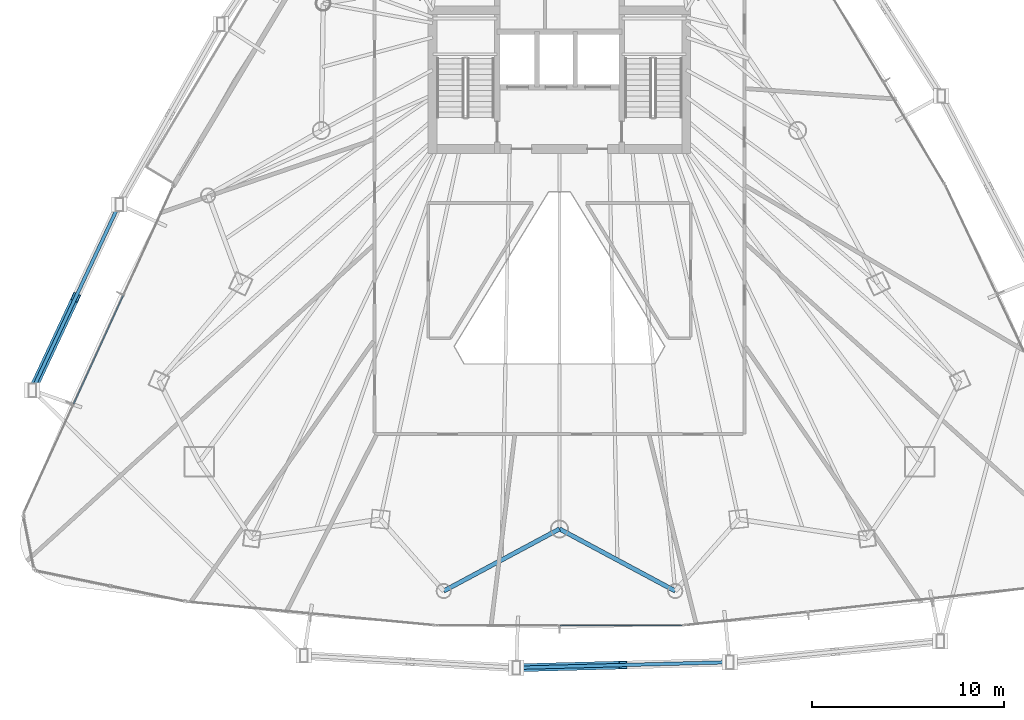
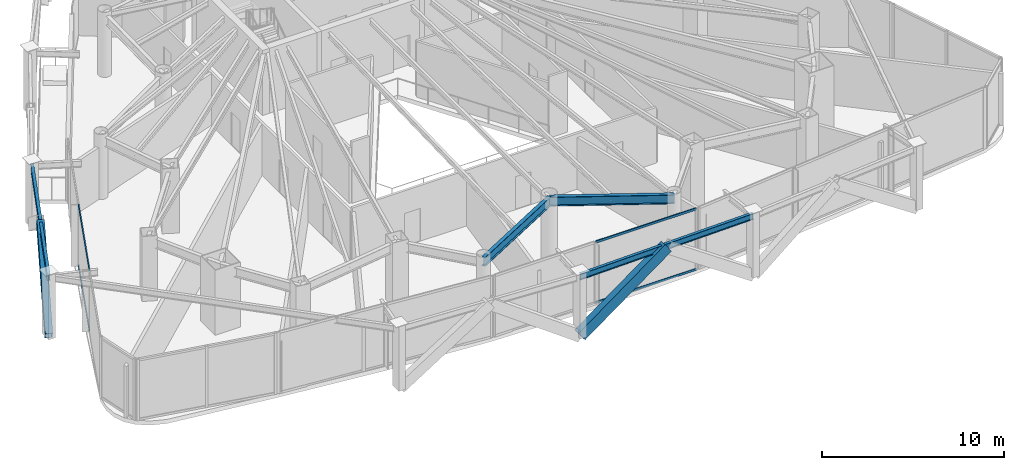
# One storey, part 7 of 33: 6 members, 4 beams, 2 elements without a shape of their own.
"""IFC4 building model written with IfcOpenShell, lengths in metres."""

import ifcopenshell
import ifcopenshell.guid

model = None  # the IFC model being written
_history = None  # IfcOwnerHistory: only IFC2X3 demands one
_inside = {}  # id of a spatial element -> (the spatial element, [elements in it])
_under = {}  # id of a project, library or spatial element -> (it, [spatial elements below it])
_declared = {}  # id of a project -> (the project, [libraries it declares])
_typed = {}  # id of a type object -> (the type object, [elements of that type])
_made_of = {}  # id of a material, layer set ... -> (it, [elements and type objects made of it])


def new_model(schema):
    """Start an empty IFC model of exactly this schema.

    Asked for "IFC4X3", IfcOpenShell would pick the latest addendum, in which some entities
    have other attributes; the version numbers below select the first issue.
    IFC2X3 requires an IfcOwnerHistory on every rooted entity: one is made here for all.
    """
    global model, _history
    if schema == "IFC4X3":
        model = ifcopenshell.file(schema_version=(4, 3, 0, 0))
    else:
        model = ifcopenshell.file(schema=schema)
    _inside.clear()
    _under.clear()
    _declared.clear()
    _typed.clear()
    _made_of.clear()
    _history = None
    if model.schema == "IFC2X3":
        org = make("IfcOrganization", Name="unknown")
        user = make(
            "IfcPersonAndOrganization",
            ThePerson=make("IfcPerson", FamilyName="unknown"),
            TheOrganization=org,
        )
        app = make(
            "IfcApplication",
            ApplicationDeveloper=org,
            Version="unknown",
            ApplicationFullName="unknown",
            ApplicationIdentifier="unknown",
        )
        _history = make(
            "IfcOwnerHistory",
            OwningUser=user,
            OwningApplication=app,
            ChangeAction="ADDED",
            CreationDate=0,
        )
    return model


def make(cls, **values):
    """One entity of the class cls with the attributes given. An attribute that is None is left unset."""
    return model.create_entity(
        cls, **{name: value for name, value in values.items() if value is not None}
    )


def rooted(cls, **values):
    """An entity with a GlobalId (a new one), such as an element, a storey or a relation."""
    return make(cls, GlobalId=ifcopenshell.guid.new(), OwnerHistory=_history, **values)


def si_unit(unit_type, name, prefix=None):
    """IfcSIUnit, for example si_unit("LENGTHUNIT", "METRE", prefix="MILLI")."""
    return make("IfcSIUnit", UnitType=unit_type, Prefix=prefix, Name=name)


def assignment(units):
    """IfcUnitAssignment: the units of a project."""
    return None if units is None else make("IfcUnitAssignment", Units=units)


def point(xyz):
    """IfcCartesianPoint."""
    return None if xyz is None else make("IfcCartesianPoint", Coordinates=xyz)


def direction(xyz):
    """IfcDirection."""
    return None if xyz is None else make("IfcDirection", DirectionRatios=xyz)


def frame(location, z_axis=None, x_axis=None):
    """IfcAxis2Placement3D, a coordinate frame: its origin and axes. An axis left out is left unset."""
    return make(
        "IfcAxis2Placement3D",
        Location=point(location),
        Axis=direction(z_axis),
        RefDirection=direction(x_axis),
    )


def frame_2d(location, x_axis=None):
    """IfcAxis2Placement2D, a coordinate frame in the plane: its origin and x axis."""
    return make(
        "IfcAxis2Placement2D", Location=point(location), RefDirection=direction(x_axis)
    )


def origin():
    """The frame at (0, 0, 0) with its axes left unset."""
    return frame((0.0, 0.0, 0.0))


def origin_2d():
    """The frame at (0, 0) in the plane with its x axis left unset."""
    return frame_2d((0.0, 0.0))


def place(relative_to, where):
    """IfcLocalPlacement: puts the frame where relative to a parent placement (None: the world)."""
    return make(
        "IfcLocalPlacement", PlacementRelTo=relative_to, RelativePlacement=where
    )


def context(
    kind, dimensions, precision=None, world=None, true_north=None, identifier=None
):
    """IfcGeometricRepresentationContext, for example the 3D "Model" context."""
    return make(
        "IfcGeometricRepresentationContext",
        ContextIdentifier=identifier,
        ContextType=kind,
        CoordinateSpaceDimension=dimensions,
        Precision=precision,
        WorldCoordinateSystem=world,
        TrueNorth=true_north,
    )


def subcontext(parent, identifier, kind, view, scale=None):
    """IfcGeometricRepresentationSubContext, for example "Body" below "Model"."""
    return make(
        "IfcGeometricRepresentationSubContext",
        ContextIdentifier=identifier,
        ContextType=kind,
        ParentContext=parent,
        TargetScale=scale,
        TargetView=view,
    )


def project(units=None, contexts=None):
    """IfcProject with its units and contexts."""
    return rooted(
        "IfcProject",
        Name="project",
        RepresentationContexts=contexts,
        UnitsInContext=assignment(units),
    )


def spatial(cls, under=None, at=None, **own):
    """A site, building, storey or space (cls), placed at a placement, below another one or the project."""
    s = rooted(cls, ObjectPlacement=at, **own)
    if under is not None:
        _under.setdefault(under.id(), (under, []))[1].append(s)
    return s


def profile(cls, at=None, kind="AREA", **sizes):
    """A parametric profile (cls). Its sizes go by their IFC names, for example OverallWidth=200.0."""
    return make(cls, ProfileType=kind, Position=at, **sizes)


def hollow_rectangle(**sizes):
    """IfcRectangleHollowProfileDef."""
    return profile("IfcRectangleHollowProfileDef", **sizes)


def i_section(**sizes):
    """IfcIShapeProfileDef."""
    return profile("IfcIShapeProfileDef", **sizes)


def extrude(swept, where, along, depth):
    """IfcExtrudedAreaSolid: the profile swept, set in the frame where, extruded along a direction by depth."""
    return make(
        "IfcExtrudedAreaSolid",
        SweptArea=swept,
        Position=where,
        ExtrudedDirection=direction(along),
        Depth=depth,
    )


def shape(context_of_items, identifier, shape_type, items):
    """IfcShapeRepresentation: the items that make up one representation, for example the "Body"."""
    return make(
        "IfcShapeRepresentation",
        ContextOfItems=context_of_items,
        RepresentationIdentifier=identifier,
        RepresentationType=shape_type,
        Items=items,
    )


def material(Name=None, Category=None):
    """IfcMaterial."""
    return make("IfcMaterial", Name=Name, Category=Category)


def layer(
    of_material, thickness, ventilated=None, Name=None, Category=None, Priority=None
):
    """IfcMaterialLayer: one layer of a wall or slab, of a material (None: an air gap)."""
    return make(
        "IfcMaterialLayer",
        Material=of_material,
        LayerThickness=thickness,
        IsVentilated=ventilated,
        Name=Name,
        Category=Category,
        Priority=Priority,
    )


def layer_set(layers, Name=None):
    """IfcMaterialLayerSet."""
    return make("IfcMaterialLayerSet", MaterialLayers=layers, LayerSetName=Name)


def material_profile(
    of_material, cross_section, Name=None, Category=None, Priority=None
):
    """IfcMaterialProfile: a cross section and its material."""
    return make(
        "IfcMaterialProfile",
        Name=Name,
        Material=of_material,
        Profile=cross_section,
        Priority=Priority,
        Category=Category,
    )


def profile_set(profiles, Name=None, composite=None):
    """IfcMaterialProfileSet."""
    return make(
        "IfcMaterialProfileSet",
        Name=Name,
        MaterialProfiles=profiles,
        CompositeProfile=composite,
    )


def made_of(thing, what):
    """Note that an element or type object is made of a material, layer set ...; save() writes the relation."""
    if what is not None:
        _made_of.setdefault(what.id(), (what, []))[1].append(thing)
    return thing


def type_object(cls, material=None, **own):
    """A type object (cls), such as IfcWallType, which elements share."""
    return made_of(rooted(cls, **own), material)


def element(
    cls,
    number,
    at=None,
    inside=None,
    cuts=None,
    type_object=None,
    material=None,
    context=None,
    identifier="Body",
    shape_type=None,
    held_by="IfcProductDefinitionShape",
    body=None,
    shapes=None,
    **own,
):
    """One element of the class cls, such as IfcWall. Its Tag is "e" and its number.

    at: its placement. inside: the storey or other place that contains it. cuts: it is an
    opening in that element (IfcRelVoidsElement). A single representation is given by context,
    identifier, shape_type and body (its items); several are given by shapes. held_by: the class
    of the entity that holds the representations. save() writes the other relations.
    """
    e = rooted(cls, Tag="e%d" % number, ObjectPlacement=at, **own)
    if body is not None:
        shapes = [shape(context, identifier, shape_type, body)]
    if shapes is not None:
        e.Representation = make(held_by, Representations=shapes)
    if inside is not None:
        _inside.setdefault(inside.id(), (inside, []))[1].append(e)
    if cuts is not None:
        rooted(
            "IfcRelVoidsElement", RelatingBuildingElement=cuts, RelatedOpeningElement=e
        )
    if type_object is not None:
        _typed.setdefault(type_object.id(), (type_object, []))[1].append(e)
    return made_of(e, material)


def aggregate(whole, parts):
    """IfcRelAggregates: a whole, such as a stair, and the parts it consists of."""
    return rooted("IfcRelAggregates", RelatingObject=whole, RelatedObjects=parts)


def save(model, path):
    """Write the relations noted so far, then the file.

    IfcRelAggregates (storeys below a building ...), IfcRelContainedInSpatialStructure (elements
    in a storey), IfcRelDefinesByType, IfcRelAssociatesMaterial and IfcRelDeclares: one each for
    every whole, place, type object, material and project.
    """
    for whole, parts in _under.values():
        aggregate(whole, parts)
    for where, things in _inside.values():
        rooted(
            "IfcRelContainedInSpatialStructure",
            RelatedElements=things,
            RelatingStructure=where,
        )
    for kind, things in _typed.values():
        rooted("IfcRelDefinesByType", RelatedObjects=things, RelatingType=kind)
    for what, things in _made_of.values():
        rooted("IfcRelAssociatesMaterial", RelatedObjects=things, RelatingMaterial=what)
    for by, libraries in _declared.values():
        rooted("IfcRelDeclares", RelatingContext=by, RelatedDefinitions=libraries)
    model.write(path)


model = new_model("IFC4")

# Units and contexts
model_context = context("Model", 3, precision=1e-05, world=origin(), true_north=direction((0.0, 1.0)))
body_context = subcontext(model_context, "Body", "Model", "MODEL_VIEW")
ifc_project = project(units=[si_unit("LENGTHUNIT", "METRE"), si_unit("AREAUNIT", "SQUARE_METRE"), si_unit("VOLUMEUNIT", "CUBIC_METRE"), si_unit("PLANEANGLEUNIT", "RADIAN"), si_unit("MASSUNIT", "GRAM", prefix="KILO")], contexts=[model_context])

# Site, building, storey
site_placement = place(None, origin())
site = spatial("IfcSite", under=ifc_project, at=site_placement, CompositionType="ELEMENT")
building_placement = place(site_placement, origin())
building = spatial("IfcBuilding", under=site, at=building_placement, Name="Orvanel Arch Residences", CompositionType="ELEMENT")
storey_placement = place(building_placement, frame((0.0, 0.0, 59.89990234375)))
storey = spatial("IfcBuildingStorey", under=building, at=storey_placement, Name="L16", CompositionType="ELEMENT", Elevation=59.89990234375)

# Members
ifc_material_1 = material(Name="Structural steel AS/NZS 3678 Grade 350", Category="steel")
ifc_material_profile_1 = material_profile(ifc_material_1, hollow_rectangle(XDim=0.419921875, YDim=0.719970703125, WallThickness=0.02490234375, at=origin_2d()), Name="RHS720x420x25")
ifc_profile_set_1 = profile_set([ifc_material_profile_1], Name="Structural steel AS/NZS 3678 Grade 350")
member_type_1 = type_object("IfcMemberType", Name="BR-720RHS-EXT", PredefinedType="BRACE", material=ifc_profile_set_1)
member_1_placement = place(storey_placement, frame((5.48291015625, 14.091064453125, 0.0), z_axis=(0.34238181439, 0.731385049146, 0.589788608792), x_axis=(-0.905675312904, 0.423971965577, 0.0)))
element("IfcMember", 1, at=member_1_placement, inside=storey, type_object=member_type_1, Name="L16 Exterior Sky-Garden V-Frame Chevron F1B3.2", PredefinedType="BRACE", context=body_context, shape_type="SweptSolid", body=[
    extrude(hollow_rectangle(XDim=0.419921875, YDim=0.719970703125, WallThickness=0.02490234375, at=origin_2d()), origin(), (0.0, 0.0, 1.0), 6.624267578125),
])
member_2_placement = place(storey_placement, frame((30.7490234375, -0.402099609375, 0.0), z_axis=(0.818343727668, 0.02131813763, 0.574333596784), x_axis=(-0.026041511807, 0.999660862324, 0.0)))
element("IfcMember", 2, at=member_2_placement, inside=storey, type_object=member_type_1, Name="L16 Exterior Sky-Garden V-Frame Chevron F2B2.1", PredefinedType="BRACE", context=body_context, shape_type="SweptSolid", body=[
    extrude(hollow_rectangle(XDim=0.419921875, YDim=0.719970703125, WallThickness=0.02490234375, at=origin_2d()), origin(), (0.0, 0.0, 1.0), 6.802734375),
])

# Beams
ifc_material_2 = material(Name="Structural steel AS/NZS 3679.1 Grade 300 (300 MPa)", Category="steel")
ifc_material_profile_2 = material_profile(ifc_material_2, i_section(OverallWidth=0.177978515625, OverallDepth=0.406005859375, WebThickness=0.0078125, FlangeThickness=0.0126953125, at=origin_2d()), Name="410UB59.7")
ifc_profile_set_2 = profile_set([ifc_material_profile_2], Name="Structural steel AS/NZS 3679.1 Grade 300 (300 MPa)")
beam_type_1 = type_object("IfcBeamType", Name="OB-410UB-EXT", PredefinedType="SPANDREL", material=ifc_profile_set_2)
beam_1_placement = place(storey_placement, frame((10.01806640625, 23.781005859375, 3.906982421875), z_axis=(-0.423897093188, -0.905710358993, 0.0), x_axis=(0.905710358993, -0.423897093188, 0.0)))
element("IfcBeam", 3, at=beam_1_placement, inside=storey, type_object=beam_type_1, Name="L16 Outer Perimeter Floor Ring Beam 03", PredefinedType="SPANDREL", context=body_context, shape_type="SweptSolid", body=[
    extrude(i_section(OverallWidth=0.177978515625, OverallDepth=0.406005859375, WebThickness=0.0078125, FlangeThickness=0.0126953125, at=origin_2d()), origin(), (0.0, 0.0, 1.0), 10.69873046875),
])
beam_2_placement = place(storey_placement, frame((30.7490234375, -0.402099609375, 3.906982421875), z_axis=(0.999658650712, 0.026126271386, 0.0), x_axis=(-0.026126271386, 0.999658650712, 0.0)))
element("IfcBeam", 4, at=beam_2_placement, inside=storey, type_object=beam_type_1, Name="L16 Outer Perimeter Floor Ring Beam 06", PredefinedType="SPANDREL", context=body_context, shape_type="SweptSolid", body=[
    extrude(i_section(OverallWidth=0.177978515625, OverallDepth=0.406005859375, WebThickness=0.0078125, FlangeThickness=0.0126953125, at=origin_2d()), origin(), (0.0, 0.0, 1.0), 11.138916015625),
])
ifc_material_profile_3 = material_profile(ifc_material_2, i_section(OverallWidth=0.22900390625, OverallDepth=0.612060546875, WebThickness=0.011962890625, FlangeThickness=0.01953125, at=origin_2d()), Name="610UB125")
ifc_profile_set_3 = profile_set([ifc_material_profile_3], Name="Structural steel AS/NZS 3679.1 Grade 300 (300 MPa)")
beam_type_2 = type_object("IfcBeamType", Name="SP-610UB", PredefinedType="SPANDREL", material=ifc_profile_set_3)
for number, where, z_axis, x_axis, name in (
    (5, (26.9580078125, 3.60498046875, 3.80419921875), (0.881344400551, 0.472474388319, 0.0), (-0.472474388319, 0.881344400551, 0.0), "L16 Perimeter Spandrel Beam 06"),
    (6, (33.0, 6.843994140625, 3.80419921875), (0.881344400551, -0.472474388319, 0.0), (0.472474388319, 0.881344400551, 0.0), "L16 Perimeter Spandrel Beam 07"),
):
    element("IfcBeam", number, at=place(storey_placement, frame(where, z_axis=z_axis, x_axis=x_axis)), inside=storey, type_object=beam_type_2, Name=name, PredefinedType="SPANDREL", context=body_context, shape_type="SweptSolid", body=[
        extrude(i_section(OverallWidth=0.22900390625, OverallDepth=0.612060546875, WebThickness=0.011962890625, FlangeThickness=0.01953125, at=origin_2d()), origin(), (0.0, 0.0, 1.0), 6.85546875),
    ])

# Curtain wall, members
ifc_material_3 = material(Name="Bronze-anodised aluminium AA6063-T6", Category="aluminium")
ifc_layer = layer(ifc_material_3, 0.195068359375)
ifc_layer_set = layer_set([ifc_layer], Name="Bronze-anodised aluminium AA6063-T6")
curtain_wall_type = type_object("IfcCurtainWallType", Name="CW6-COM-SYS", PredefinedType="NOTDEFINED", material=ifc_layer_set)
curtain_wall_1_placement = place(storey_placement, origin())
curtain_wall_1 = element("IfcCurtainWall", 7, at=curtain_wall_1_placement, inside=storey, type_object=curtain_wall_type, Name="L16 CW6-COM-SYS Unitised Curtain Wall", PredefinedType="NOTDEFINED")
ifc_material_profile_4 = material_profile(ifc_material_3, hollow_rectangle(XDim=0.06494140625, YDim=0.14990234375, WallThickness=0.00390625, at=origin_2d()), Name="ALU150x65x4")
ifc_profile_set_4 = profile_set([ifc_material_profile_4], Name="Bronze-anodised aluminium AA6063-T6")
member_type_2 = type_object("IfcMemberType", Name="TRN-150x65", PredefinedType="USERDEFINED", material=ifc_profile_set_4)
member_3_placement = place(storey_placement, frame((10.228759765625, 19.023193359375, 0.03271484375), z_axis=(-0.415898921056, -0.909410846353, 0.0), x_axis=(0.909410846353, -0.415898921056, 0.0)))
member_3 = element("IfcMember", 8, at=member_3_placement, type_object=member_type_2, Name="CW-S6 transom 2.1", ObjectType="TRANSOM", PredefinedType="USERDEFINED", context=body_context, shape_type="SweptSolid", body=[
    extrude(hollow_rectangle(XDim=0.06494140625, YDim=0.14990234375, WallThickness=0.00390625, at=origin_2d()), origin(), (0.0, 0.0, 1.0), 6.218994140625),
])
member_4_placement = place(storey_placement, frame((10.228759765625, 19.023193359375, 4.07763671875), z_axis=(-0.415898921056, -0.909410846353, 0.0), x_axis=(0.909410846353, -0.415898921056, 0.0)))
member_4 = element("IfcMember", 9, at=member_4_placement, type_object=member_type_2, Name="CW-S6 transom 2.2", ObjectType="TRANSOM", PredefinedType="USERDEFINED", context=body_context, shape_type="SweptSolid", body=[
    extrude(hollow_rectangle(XDim=0.06494140625, YDim=0.14990234375, WallThickness=0.00390625, at=origin_2d()), origin(), (0.0, 0.0, 1.0), 6.218994140625),
])
aggregate(curtain_wall_1, [member_3, member_4])

curtain_wall_2_placement = place(storey_placement, origin())
curtain_wall_2 = element("IfcCurtainWall", 10, at=curtain_wall_2_placement, inside=storey, type_object=curtain_wall_type, Name="L16 CW6-COM-SYS Unitised Curtain Wall", PredefinedType="NOTDEFINED")
member_5_placement = place(storey_placement, frame((33.03759765625, 1.81201171875, 0.03271484375), z_axis=(1.0, 0.0, 0.0), x_axis=(0.0, 1.0, 0.0)))
member_5 = element("IfcMember", 11, at=member_5_placement, type_object=member_type_2, Name="CW-S6 transom 2.1", ObjectType="TRANSOM", PredefinedType="USERDEFINED", context=body_context, shape_type="SweptSolid", body=[
    extrude(hollow_rectangle(XDim=0.06494140625, YDim=0.14990234375, WallThickness=0.00390625, at=origin_2d()), origin(), (0.0, 0.0, 1.0), 6.346435546875),
])
member_6_placement = place(storey_placement, frame((33.03759765625, 1.81201171875, 4.07763671875), z_axis=(1.0, 0.0, 0.0), x_axis=(0.0, 1.0, 0.0)))
member_6 = element("IfcMember", 12, at=member_6_placement, type_object=member_type_2, Name="CW-S6 transom 2.2", ObjectType="TRANSOM", PredefinedType="USERDEFINED", context=body_context, shape_type="SweptSolid", body=[
    extrude(hollow_rectangle(XDim=0.06494140625, YDim=0.14990234375, WallThickness=0.00390625, at=origin_2d()), origin(), (0.0, 0.0, 1.0), 6.346435546875),
])
aggregate(curtain_wall_2, [member_5, member_6])

save(model, "model.ifc")
